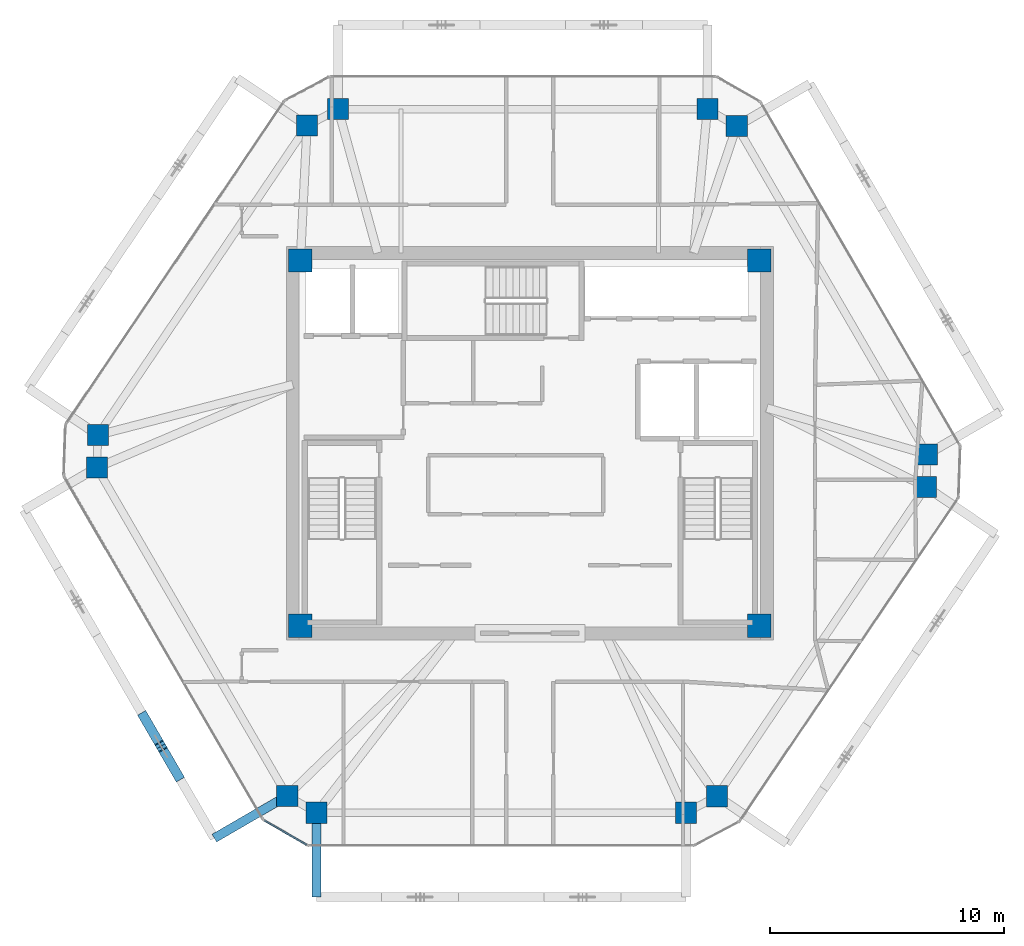
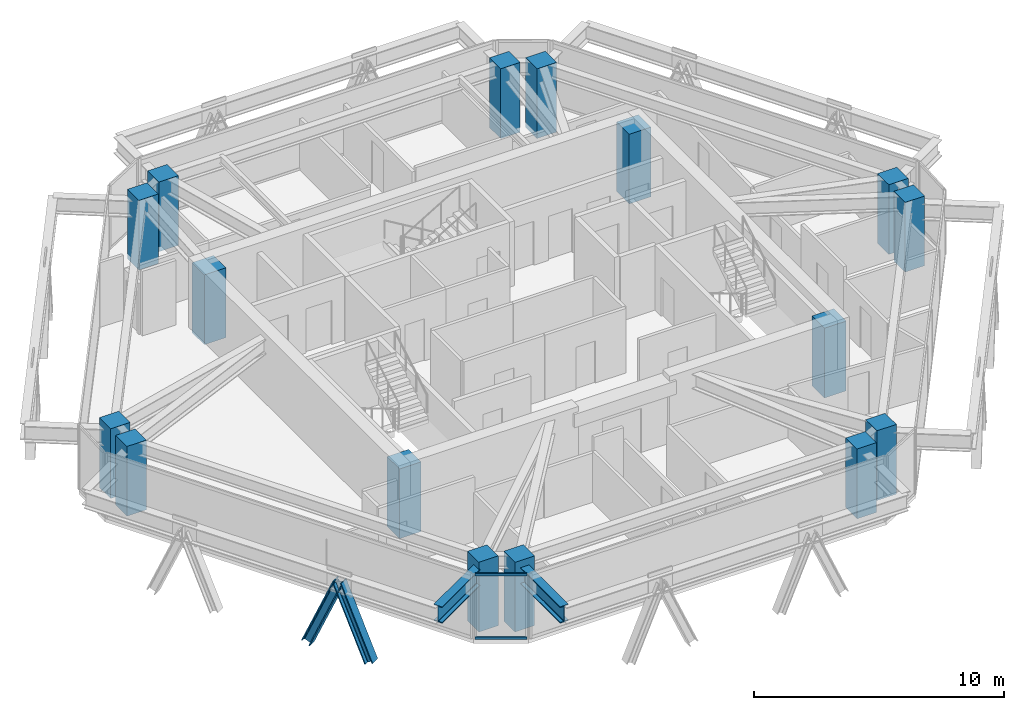
# One storey, part 1 of 13: 16 columns, 4 members, 2 beams, 1 element without a shape of its own.
"""IFC4 building model written with IfcOpenShell, lengths in metres."""

from ifc_helpers import new_model, si_unit, direction, frame, origin, origin_2d, place, context, subcontext, project, spatial, rectangle, i_section, extrude, source, transform, mapped, material, layer, layer_set, material_profile, profile_set, type_object, type_shapes, element, aggregate, save


model = new_model("IFC4")

# Units and contexts
model_context = context("Model", 3, precision=1e-05, world=origin(), true_north=direction((0.0, 1.0)))
body_context = subcontext(model_context, "Body", "Model", "MODEL_VIEW")
ifc_project = project(units=[si_unit("LENGTHUNIT", "METRE"), si_unit("AREAUNIT", "SQUARE_METRE"), si_unit("VOLUMEUNIT", "CUBIC_METRE"), si_unit("PLANEANGLEUNIT", "RADIAN"), si_unit("MASSUNIT", "GRAM", prefix="KILO")], contexts=[model_context])

# Site, building, storey
site_placement = place(None, origin())
site = spatial("IfcSite", under=ifc_project, at=site_placement, CompositionType="ELEMENT")
building_placement = place(site_placement, origin())
building = spatial("IfcBuilding", under=site, at=building_placement, Name="Durnholm Broadcast Tower", CompositionType="ELEMENT")
storey_placement = place(building_placement, frame((0.0, 0.0, 254.699951171875)))
storey = spatial("IfcBuildingStorey", under=building, at=storey_placement, Name="L71", CompositionType="ELEMENT", Elevation=254.699951171875)

# Columns
ifc_material_1 = material(Name="Concrete C70/85", Category="concrete")
ifc_material_profile_1 = material_profile(ifc_material_1, rectangle(XDim=1.0, YDim=1.0, at=origin_2d()), Name="RC1000X1000")
ifc_profile_set_1 = profile_set([ifc_material_profile_1], Name="Concrete C70/85")
column_type_1 = type_object("IfcColumnType", Name="COL-CC-1000", PredefinedType="COLUMN", material=ifc_profile_set_1)
shared_shape_1 = source(origin(), body_context, "Body", "SweptSolid", [
    extrude(rectangle(XDim=1.0, YDim=1.0, at=origin_2d()), origin(), (0.0, 0.0, 1.0), 3.400146484375),
])
type_shapes(column_type_1, [shared_shape_1])
for number, where, z_axis, x_axis, name in (
    (1, (-9.800048828125, -7.800048828125, -0.239990234375), (0.0, 0.0, 1.0), (1.0, 0.0, 0.0), "L71 core corner column 1"),
    (2, (9.800048828125, -7.800048828125, -0.239990234375), (0.0, 0.0, 1.0), (1.0, 0.0, 0.0), "L71 core corner column 2"),
    (3, (9.800048828125, 7.800048828125, -0.239990234375), (0.0, 0.0, 1.0), (1.0, 0.0, 0.0), "L71 core corner column 3"),
    (4, (-9.800048828125, 7.800048828125, -0.239990234375), (0.0, 0.0, 1.0), (1.0, 0.0, 0.0), "L71 core corner column 4"),
):
    element("IfcColumn", number, at=place(storey_placement, frame(where, z_axis=z_axis, x_axis=x_axis)), inside=storey, type_object=column_type_1, Name=name, PredefinedType="COLUMN", context=body_context, shape_type="MappedRepresentation", body=[
        mapped(shared_shape_1, transform((0.0, 0.0, 0.0), x_axis=(1.0, 0.0, 0.0), y_axis=(0.0, 1.0, 0.0), z_axis=(0.0, 0.0, 1.0), scale=1.0)),
    ])
ifc_material_profile_2 = material_profile(ifc_material_1, rectangle(XDim=0.89990234375, YDim=0.89990234375, at=origin_2d()), Name="RC900X900")
ifc_profile_set_2 = profile_set([ifc_material_profile_2], Name="Concrete C70/85")
column_type_2 = type_object("IfcColumnType", Name="COL-CC-900", PredefinedType="COLUMN", material=ifc_profile_set_2)
shared_shape_2 = source(origin(), body_context, "Body", "SweptSolid", [
    extrude(rectangle(XDim=0.89990234375, YDim=0.89990234375, at=origin_2d()), origin(), (0.0, 0.0, 1.0), 3.400146484375),
])
type_shapes(column_type_2, [shared_shape_2])
for number, where, z_axis, x_axis, name in (
    (5, (-10.361328125, -15.061767578125, -0.239990234375), (0.0, 0.0, 1.0), (1.0, 0.0, 0.0), "L71 perimeter hexagonal tube column 01"),
    (6, (-18.494384765625, -1.0478515625, -0.239990234375), (0.0, 0.0, 1.0), (1.0, 0.0, 0.0), "L71 perimeter hexagonal tube column 02"),
    (7, (-18.4462890625, 0.345947265625, -0.239990234375), (0.0, 0.0, 1.0), (1.0, 0.0, 0.0), "L71 perimeter hexagonal tube column 03"),
    (8, (-9.514892578125, 13.557373046875, -0.239990234375), (0.0, 0.0, 1.0), (1.0, 0.0, 0.0), "L71 perimeter hexagonal tube column 04"),
    (9, (-8.187744140625, 14.261962890625, -0.239990234375), (0.0, 0.0, 1.0), (1.0, 0.0, 0.0), "L71 perimeter hexagonal tube column 05"),
    (10, (7.57958984375, 14.261962890625, -0.239990234375), (0.0, 0.0, 1.0), (1.0, 0.0, 0.0), "L71 perimeter hexagonal tube column 06"),
    (11, (8.83740234375, 13.53759765625, -0.239990234375), (0.0, 0.0, 1.0), (1.0, 0.0, 0.0), "L71 perimeter hexagonal tube column 07"),
    (12, (16.97021484375, -0.47607421875, -0.239990234375), (0.0, 0.0, 1.0), (1.0, 0.0, 0.0), "L71 perimeter hexagonal tube column 08"),
    (13, (16.92236328125, -1.869873046875, -0.239990234375), (0.0, 0.0, 1.0), (1.0, 0.0, 0.0), "L71 perimeter hexagonal tube column 09"),
    (14, (7.990966796875, -15.081298828125, -0.239990234375), (0.0, 0.0, 1.0), (1.0, 0.0, 0.0), "L71 perimeter hexagonal tube column 10"),
    (15, (6.663818359375, -15.785888671875, -0.239990234375), (0.0, 0.0, 1.0), (1.0, 0.0, 0.0), "L71 perimeter hexagonal tube column 11"),
    (16, (-9.103759765625, -15.785888671875, -0.239990234375), (0.0, 0.0, 1.0), (1.0, 0.0, 0.0), "L71 perimeter hexagonal tube column 12"),
):
    element("IfcColumn", number, at=place(storey_placement, frame(where, z_axis=z_axis, x_axis=x_axis)), inside=storey, type_object=column_type_2, Name=name, PredefinedType="COLUMN", context=body_context, shape_type="MappedRepresentation", body=[
        mapped(shared_shape_2, transform((0.0, 0.0, 0.0), x_axis=(1.0, 0.0, 0.0), y_axis=(0.0, 1.0, 0.0), z_axis=(0.0, 0.0, 1.0), scale=1.0)),
    ])

# Beams
ifc_material_2 = material(Name="Steel ASTM A992 Grade 50", Category="steel")
ifc_material_profile_3 = material_profile(ifc_material_2, i_section(OverallWidth=0.385009765625, OverallDepth=0.802978515625, WebThickness=0.023681640625, FlangeThickness=0.0419921875, FilletRadius=0.032958984375, at=origin_2d()), Name="W30X261")
ifc_profile_set_3 = profile_set([ifc_material_profile_3], Name="Steel ASTM A992 Grade 50")
beam_type = type_object("IfcBeamType", Name="BM-EXO-TIE", PredefinedType="USERDEFINED", material=ifc_profile_set_3)
shared_shape_3 = source(origin(), body_context, "Body", "SweptSolid", [
    extrude(i_section(OverallWidth=0.385009765625, OverallDepth=0.802978515625, WebThickness=0.023681640625, FlangeThickness=0.0419921875, FilletRadius=0.032958984375, at=origin_2d()), origin(), (0.0, 0.0, 1.0), 3.4560546875),
])
type_shapes(beam_type, [shared_shape_3])
for number, where, z_axis, x_axis, name in (
    (17, (-9.103759765625, -15.929931640625, 2.408447265625), (0.0, -1.0, 0.0), (1.0, 0.0, 0.0), "L71 exoskeleton stand-off tie bracket F1.1"),
    (18, (-10.48583984375, -15.134033203125, 2.408447265625), (-0.864924479231, -0.501902027518, 0.0), (0.501902027518, -0.864924479231, 0.0), "L71 exoskeleton stand-off tie bracket F6.2"),
):
    element("IfcBeam", number, at=place(storey_placement, frame(where, z_axis=z_axis, x_axis=x_axis)), inside=storey, type_object=beam_type, Name=name, ObjectType="GIRDER", PredefinedType="USERDEFINED", context=body_context, shape_type="MappedRepresentation", body=[
        mapped(shared_shape_3, transform((0.0, 0.0, 0.0), x_axis=(1.0, 0.0, 0.0), y_axis=(0.0, 1.0, 0.0), z_axis=(0.0, 0.0, 1.0), scale=1.0)),
    ])

# Members
ifc_material_3 = material(Name="Steel ASTM A913 Grade 65", Category="steel")
ifc_material_profile_4 = material_profile(ifc_material_3, i_section(OverallWidth=0.40625, OverallDepth=0.416015625, WebThickness=0.02978515625, FlangeThickness=0.048095703125, FilletRadius=0.030517578125, at=origin_2d()), Name="W14X257")
ifc_profile_set_4 = profile_set([ifc_material_profile_4], Name="Steel ASTM A913 Grade 65")
member_type_1 = type_object("IfcMemberType", Name="STL-DG-W14X257", PredefinedType="BRACE", material=ifc_profile_set_4)
shared_shape_4 = source(origin(), body_context, "Body", "SweptSolid", [
    extrude(i_section(OverallWidth=0.40625, OverallDepth=0.416015625, WebThickness=0.02978515625, FlangeThickness=0.048095703125, FilletRadius=0.030517578125, at=origin_2d()), origin(), (0.0, 0.0, 1.0), 3.699462890625),
])
type_shapes(member_type_1, [shared_shape_4])
for number, where, z_axis, x_axis, name in (
    (19, (-16.484130859375, -11.68359375, -0.991455078125), (0.197850494882, -0.340925836077, 0.919034687033), (0.864906184135, 0.501933554014, 0.0), "L71 stand-off diagrid brace F6.D2.1"),
    (20, (-15.020263671875, -14.2060546875, -0.991455078125), (-0.197850494882, 0.340925836077, 0.919034687033), (-0.864906184135, -0.501933554014, 0.0), "L71 stand-off diagrid brace F6.D2.2"),
):
    element("IfcMember", number, at=place(storey_placement, frame(where, z_axis=z_axis, x_axis=x_axis)), inside=storey, type_object=member_type_1, Name=name, PredefinedType="BRACE", context=body_context, shape_type="MappedRepresentation", body=[
        mapped(shared_shape_4, transform((0.0, 0.0, 0.0), x_axis=(1.0, 0.0, 0.0), y_axis=(0.0, 1.0, 0.0), z_axis=(0.0, 0.0, 1.0), scale=1.0)),
    ])

# Curtain wall, members
ifc_material_4 = material(Name="Aluminium and Solar Control IGU", Category="aluminium")
ifc_layer = layer(ifc_material_4, 0.1650390625)
ifc_layer_set = layer_set([ifc_layer], Name="Aluminium and Solar Control IGU")
curtain_wall_type = type_object("IfcCurtainWallType", Name="CW-SYS-5", PredefinedType="NOTDEFINED", material=ifc_layer_set)
curtain_wall_placement = place(storey_placement, origin())
curtain_wall = element("IfcCurtainWall", 21, at=curtain_wall_placement, inside=storey, type_object=curtain_wall_type, Name="L71 curtain wall CW-CORNER CW-L71-CRN-11", PredefinedType="NOTDEFINED")
ifc_material_5 = material(Name="Aluminium 6063-T6", Category="aluminium")
ifc_material_profile_5 = material_profile(ifc_material_5, rectangle(XDim=0.06494140625, YDim=0.1298828125, at=origin_2d()), Name="CWT65X130")
ifc_profile_set_5 = profile_set([ifc_material_profile_5], Name="Aluminium 6063-T6")
member_type_2 = type_object("IfcMemberType", Name="CW-SYS-5-TRN", PredefinedType="USERDEFINED", material=ifc_profile_set_5)
shared_shape_5 = source(origin(), body_context, "Body", "SweptSolid", [
    extrude(rectangle(XDim=0.06494140625, YDim=0.1298828125, at=origin_2d()), origin(), (0.0, 0.0, 1.0), 2.06982421875),
])
type_shapes(member_type_2, [shared_shape_5])
member_1_placement = place(storey_placement, frame((-9.534423828125, -17.153564453125, 0.032470703125), z_axis=(-0.866576086718, 0.499044973854, 0.0), x_axis=(-0.499044973854, -0.866576086718, 0.0)))
member_1 = element("IfcMember", 22, at=member_1_placement, type_object=member_type_2, Name="CW-CORNER transom 1.1", ObjectType="TRANSOM", PredefinedType="USERDEFINED", context=body_context, shape_type="MappedRepresentation", body=[
    mapped(shared_shape_5, transform((0.0, 0.0, 0.0), x_axis=(1.0, 0.0, 0.0), y_axis=(0.0, 1.0, 0.0), z_axis=(0.0, 0.0, 1.0), scale=1.0)),
])
member_2_placement = place(storey_placement, frame((-9.534423828125, -17.153564453125, 3.12744140625), z_axis=(-0.866576086718, 0.499044973854, 0.0), x_axis=(-0.499044973854, -0.866576086718, 0.0)))
member_2 = element("IfcMember", 23, at=member_2_placement, type_object=member_type_2, Name="CW-CORNER transom 1.2", ObjectType="TRANSOM", PredefinedType="USERDEFINED", context=body_context, shape_type="MappedRepresentation", body=[
    mapped(shared_shape_5, transform((0.0, 0.0, 0.0), x_axis=(1.0, 0.0, 0.0), y_axis=(0.0, 1.0, 0.0), z_axis=(0.0, 0.0, 1.0), scale=1.0)),
])
aggregate(curtain_wall, [member_1, member_2])

save(model, "model.ifc")
